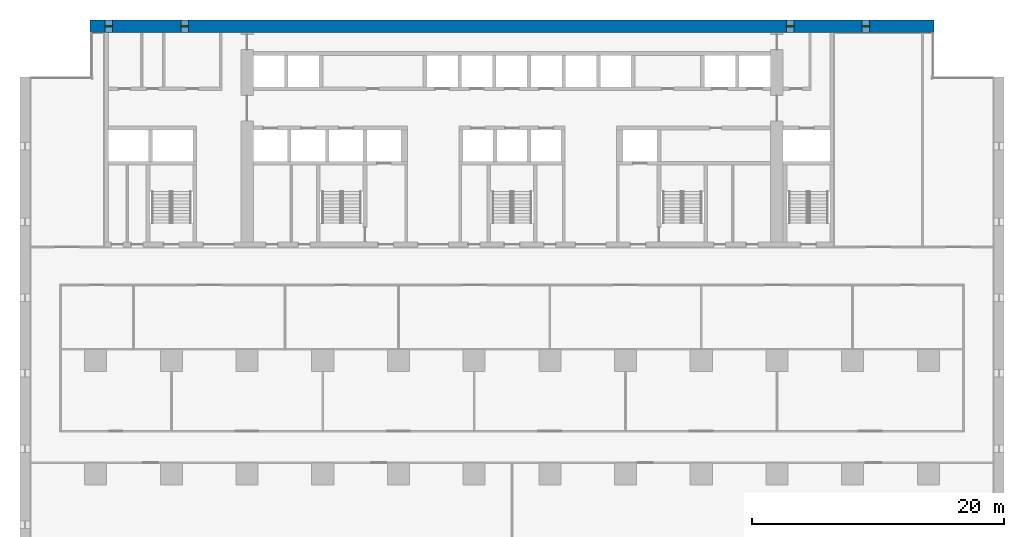
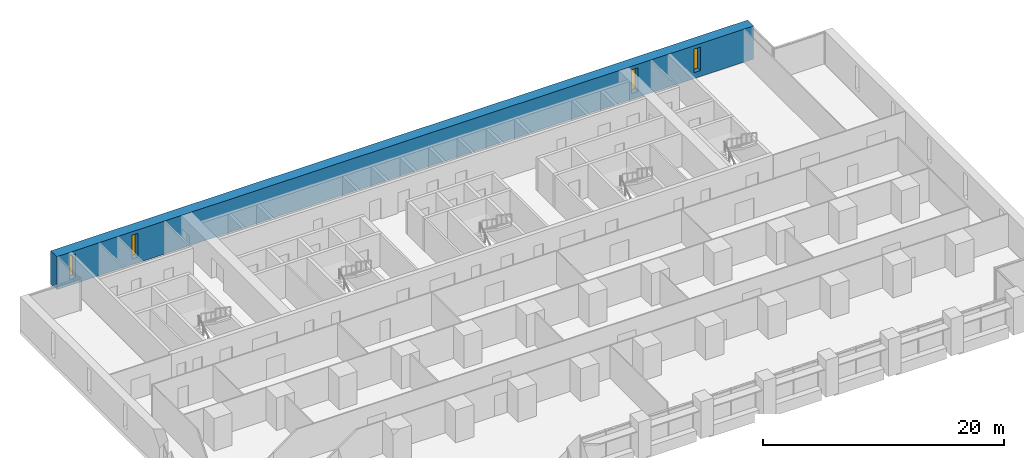
# One storey, part 12 of 18: 4 windows, 1 wall, 4 openings.
"""IFC4 building model written with IfcOpenShell, lengths in metres."""

import ifcopenshell
import ifcopenshell.guid

model = None  # the IFC model being written
_history = None  # IfcOwnerHistory: only IFC2X3 demands one
_inside = {}  # id of a spatial element -> (the spatial element, [elements in it])
_under = {}  # id of a project, library or spatial element -> (it, [spatial elements below it])
_declared = {}  # id of a project -> (the project, [libraries it declares])
_typed = {}  # id of a type object -> (the type object, [elements of that type])
_made_of = {}  # id of a material, layer set ... -> (it, [elements and type objects made of it])


def new_model(schema):
    """Start an empty IFC model of exactly this schema.

    Asked for "IFC4X3", IfcOpenShell would pick the latest addendum, in which some entities
    have other attributes; the version numbers below select the first issue.
    IFC2X3 requires an IfcOwnerHistory on every rooted entity: one is made here for all.
    """
    global model, _history
    if schema == "IFC4X3":
        model = ifcopenshell.file(schema_version=(4, 3, 0, 0))
    else:
        model = ifcopenshell.file(schema=schema)
    _inside.clear()
    _under.clear()
    _declared.clear()
    _typed.clear()
    _made_of.clear()
    _history = None
    if model.schema == "IFC2X3":
        org = make("IfcOrganization", Name="unknown")
        user = make(
            "IfcPersonAndOrganization",
            ThePerson=make("IfcPerson", FamilyName="unknown"),
            TheOrganization=org,
        )
        app = make(
            "IfcApplication",
            ApplicationDeveloper=org,
            Version="unknown",
            ApplicationFullName="unknown",
            ApplicationIdentifier="unknown",
        )
        _history = make(
            "IfcOwnerHistory",
            OwningUser=user,
            OwningApplication=app,
            ChangeAction="ADDED",
            CreationDate=0,
        )
    return model


def make(cls, **values):
    """One entity of the class cls with the attributes given. An attribute that is None is left unset."""
    return model.create_entity(
        cls, **{name: value for name, value in values.items() if value is not None}
    )


def rooted(cls, **values):
    """An entity with a GlobalId (a new one), such as an element, a storey or a relation."""
    return make(cls, GlobalId=ifcopenshell.guid.new(), OwnerHistory=_history, **values)


def si_unit(unit_type, name, prefix=None):
    """IfcSIUnit, for example si_unit("LENGTHUNIT", "METRE", prefix="MILLI")."""
    return make("IfcSIUnit", UnitType=unit_type, Prefix=prefix, Name=name)


def assignment(units):
    """IfcUnitAssignment: the units of a project."""
    return None if units is None else make("IfcUnitAssignment", Units=units)


def point(xyz):
    """IfcCartesianPoint."""
    return None if xyz is None else make("IfcCartesianPoint", Coordinates=xyz)


def direction(xyz):
    """IfcDirection."""
    return None if xyz is None else make("IfcDirection", DirectionRatios=xyz)


def frame(location, z_axis=None, x_axis=None):
    """IfcAxis2Placement3D, a coordinate frame: its origin and axes. An axis left out is left unset."""
    return make(
        "IfcAxis2Placement3D",
        Location=point(location),
        Axis=direction(z_axis),
        RefDirection=direction(x_axis),
    )


def frame_2d(location, x_axis=None):
    """IfcAxis2Placement2D, a coordinate frame in the plane: its origin and x axis."""
    return make(
        "IfcAxis2Placement2D", Location=point(location), RefDirection=direction(x_axis)
    )


def origin():
    """The frame at (0, 0, 0) with its axes left unset."""
    return frame((0.0, 0.0, 0.0))


def place(relative_to, where):
    """IfcLocalPlacement: puts the frame where relative to a parent placement (None: the world)."""
    return make(
        "IfcLocalPlacement", PlacementRelTo=relative_to, RelativePlacement=where
    )


def context(
    kind, dimensions, precision=None, world=None, true_north=None, identifier=None
):
    """IfcGeometricRepresentationContext, for example the 3D "Model" context."""
    return make(
        "IfcGeometricRepresentationContext",
        ContextIdentifier=identifier,
        ContextType=kind,
        CoordinateSpaceDimension=dimensions,
        Precision=precision,
        WorldCoordinateSystem=world,
        TrueNorth=true_north,
    )


def subcontext(parent, identifier, kind, view, scale=None):
    """IfcGeometricRepresentationSubContext, for example "Body" below "Model"."""
    return make(
        "IfcGeometricRepresentationSubContext",
        ContextIdentifier=identifier,
        ContextType=kind,
        ParentContext=parent,
        TargetScale=scale,
        TargetView=view,
    )


def project(units=None, contexts=None):
    """IfcProject with its units and contexts."""
    return rooted(
        "IfcProject",
        Name="project",
        RepresentationContexts=contexts,
        UnitsInContext=assignment(units),
    )


def spatial(cls, under=None, at=None, **own):
    """A site, building, storey or space (cls), placed at a placement, below another one or the project."""
    s = rooted(cls, ObjectPlacement=at, **own)
    if under is not None:
        _under.setdefault(under.id(), (under, []))[1].append(s)
    return s


def profile(cls, at=None, kind="AREA", **sizes):
    """A parametric profile (cls). Its sizes go by their IFC names, for example OverallWidth=200.0."""
    return make(cls, ProfileType=kind, Position=at, **sizes)


def rectangle(**sizes):
    """IfcRectangleProfileDef."""
    return profile("IfcRectangleProfileDef", **sizes)


def extrude(swept, where, along, depth):
    """IfcExtrudedAreaSolid: the profile swept, set in the frame where, extruded along a direction by depth."""
    return make(
        "IfcExtrudedAreaSolid",
        SweptArea=swept,
        Position=where,
        ExtrudedDirection=direction(along),
        Depth=depth,
    )


def shape(context_of_items, identifier, shape_type, items):
    """IfcShapeRepresentation: the items that make up one representation, for example the "Body"."""
    return make(
        "IfcShapeRepresentation",
        ContextOfItems=context_of_items,
        RepresentationIdentifier=identifier,
        RepresentationType=shape_type,
        Items=items,
    )


def material(Name=None, Category=None):
    """IfcMaterial."""
    return make("IfcMaterial", Name=Name, Category=Category)


def layer(
    of_material, thickness, ventilated=None, Name=None, Category=None, Priority=None
):
    """IfcMaterialLayer: one layer of a wall or slab, of a material (None: an air gap)."""
    return make(
        "IfcMaterialLayer",
        Material=of_material,
        LayerThickness=thickness,
        IsVentilated=ventilated,
        Name=Name,
        Category=Category,
        Priority=Priority,
    )


def layer_set(layers, Name=None):
    """IfcMaterialLayerSet."""
    return make("IfcMaterialLayerSet", MaterialLayers=layers, LayerSetName=Name)


def made_of(thing, what):
    """Note that an element or type object is made of a material, layer set ...; save() writes the relation."""
    if what is not None:
        _made_of.setdefault(what.id(), (what, []))[1].append(thing)
    return thing


def type_object(cls, material=None, **own):
    """A type object (cls), such as IfcWallType, which elements share."""
    return made_of(rooted(cls, **own), material)


def element(
    cls,
    number,
    at=None,
    inside=None,
    cuts=None,
    type_object=None,
    material=None,
    context=None,
    identifier="Body",
    shape_type=None,
    held_by="IfcProductDefinitionShape",
    body=None,
    shapes=None,
    **own,
):
    """One element of the class cls, such as IfcWall. Its Tag is "e" and its number.

    at: its placement. inside: the storey or other place that contains it. cuts: it is an
    opening in that element (IfcRelVoidsElement). A single representation is given by context,
    identifier, shape_type and body (its items); several are given by shapes. held_by: the class
    of the entity that holds the representations. save() writes the other relations.
    """
    e = rooted(cls, Tag="e%d" % number, ObjectPlacement=at, **own)
    if body is not None:
        shapes = [shape(context, identifier, shape_type, body)]
    if shapes is not None:
        e.Representation = make(held_by, Representations=shapes)
    if inside is not None:
        _inside.setdefault(inside.id(), (inside, []))[1].append(e)
    if cuts is not None:
        rooted(
            "IfcRelVoidsElement", RelatingBuildingElement=cuts, RelatedOpeningElement=e
        )
    if type_object is not None:
        _typed.setdefault(type_object.id(), (type_object, []))[1].append(e)
    return made_of(e, material)


def fill(opening, filler):
    """IfcRelFillsElement: the door or window that sits in an opening."""
    return rooted(
        "IfcRelFillsElement",
        RelatingOpeningElement=opening,
        RelatedBuildingElement=filler,
    )


def aggregate(whole, parts):
    """IfcRelAggregates: a whole, such as a stair, and the parts it consists of."""
    return rooted("IfcRelAggregates", RelatingObject=whole, RelatedObjects=parts)


def save(model, path):
    """Write the relations noted so far, then the file.

    IfcRelAggregates (storeys below a building ...), IfcRelContainedInSpatialStructure (elements
    in a storey), IfcRelDefinesByType, IfcRelAssociatesMaterial and IfcRelDeclares: one each for
    every whole, place, type object, material and project.
    """
    for whole, parts in _under.values():
        aggregate(whole, parts)
    for where, things in _inside.values():
        rooted(
            "IfcRelContainedInSpatialStructure",
            RelatedElements=things,
            RelatingStructure=where,
        )
    for kind, things in _typed.values():
        rooted("IfcRelDefinesByType", RelatedObjects=things, RelatingType=kind)
    for what, things in _made_of.values():
        rooted("IfcRelAssociatesMaterial", RelatedObjects=things, RelatingMaterial=what)
    for by, libraries in _declared.values():
        rooted("IfcRelDeclares", RelatingContext=by, RelatedDefinitions=libraries)
    model.write(path)


model = new_model("IFC4")

# Units and contexts
model_context = context("Model", 3, precision=1e-05, world=origin(), true_north=direction((0.0, 1.0)))
body_context = subcontext(model_context, "Body", "Model", "MODEL_VIEW")
ifc_project = project(units=[si_unit("LENGTHUNIT", "METRE"), si_unit("AREAUNIT", "SQUARE_METRE"), si_unit("VOLUMEUNIT", "CUBIC_METRE"), si_unit("PLANEANGLEUNIT", "RADIAN"), si_unit("MASSUNIT", "GRAM", prefix="KILO")], contexts=[model_context])

# Site, building, storey
site_placement = place(None, origin())
site = spatial("IfcSite", under=ifc_project, at=site_placement, CompositionType="ELEMENT")
building_placement = place(site_placement, origin())
building = spatial("IfcBuilding", under=site, at=building_placement, Name="Calvaro Tower", CompositionType="ELEMENT")
storey_placement = place(building_placement, frame((0.0, 0.0, 41.25)))
storey = spatial("IfcBuildingStorey", under=building, at=storey_placement, Name="L09", CompositionType="ELEMENT", Elevation=41.25)

# Wall, openings, windows
ifc_material_1 = material(Name="Concrete C80/95", Category="concrete")
ifc_layer = layer(ifc_material_1, 1.0)
ifc_layer_set = layer_set([ifc_layer], Name="Concrete C80/95")
wall_type = type_object("IfcWallType", Name="Rear core wall 1000 C80/95", PredefinedType="SHEAR", material=ifc_layer_set)
wall_placement = place(storey_placement, frame((5.550048828125, 45.5, 0.0), z_axis=(0.0, 0.0, 1.0), x_axis=(1.0, 0.0, 0.0)))
wall = element("IfcWall", 1, at=wall_placement, inside=storey, type_object=wall_type, Name="North core wall", PredefinedType="SHEAR", context=body_context, shape_type="SweptSolid", body=[
    extrude(rectangle(XDim=66.89990234375, YDim=1.0, at=frame_2d((33.449951171875, 0.0))), origin(), (0.0, 0.0, 1.0), 3.35009765625),
])
opening_1_placement = place(wall_placement, frame((1.199951171875, 0.0, 0.60009765625)))
opening_1 = element("IfcOpeningElement", 2, at=opening_1_placement, cuts=wall, Name="Opening WN01", PredefinedType="OPENING", context=body_context, shape_type="SweptSolid", body=[
    extrude(rectangle(XDim=0.60009765625, YDim=2.39990234375, at=frame_2d((0.300048828125, 1.199951171875))), frame((0.0, 0.510009765625, 0.0), z_axis=(0.0, -1.0, 0.0), x_axis=(1.0, 0.0, 0.0)), (0.0, 0.0, 1.0), 1.02001953125),
])
opening_2_placement = place(wall_placement, frame((7.199951171875, 0.0, 0.60009765625)))
opening_2 = element("IfcOpeningElement", 3, at=opening_2_placement, cuts=wall, Name="Opening WN02", PredefinedType="OPENING", context=body_context, shape_type="SweptSolid", body=[
    extrude(rectangle(XDim=0.60009765625, YDim=2.39990234375, at=frame_2d((0.300048828125, 1.199951171875))), frame((0.0, 0.510009765625, 0.0), z_axis=(0.0, -1.0, 0.0), x_axis=(1.0, 0.0, 0.0)), (0.0, 0.0, 1.0), 1.02001953125),
])
opening_3_placement = place(wall_placement, frame((55.199951171875, 0.0, 0.60009765625)))
opening_3 = element("IfcOpeningElement", 4, at=opening_3_placement, cuts=wall, Name="Opening WN10", PredefinedType="OPENING", context=body_context, shape_type="SweptSolid", body=[
    extrude(rectangle(XDim=0.60009765625, YDim=2.39990234375, at=frame_2d((0.300048828125, 1.199951171875))), frame((0.0, 0.510009765625, 0.0), z_axis=(0.0, -1.0, 0.0), x_axis=(1.0, 0.0, 0.0)), (0.0, 0.0, 1.0), 1.02001953125),
])
opening_4_placement = place(wall_placement, frame((61.199951171875, 0.0, 0.60009765625)))
opening_4 = element("IfcOpeningElement", 5, at=opening_4_placement, cuts=wall, Name="Opening WN11", PredefinedType="OPENING", context=body_context, shape_type="SweptSolid", body=[
    extrude(rectangle(XDim=0.60009765625, YDim=2.39990234375, at=frame_2d((0.300048828125, 1.199951171875))), frame((0.0, 0.510009765625, 0.0), z_axis=(0.0, -1.0, 0.0), x_axis=(1.0, 0.0, 0.0)), (0.0, 0.0, 1.0), 1.02001953125),
])
ifc_material_2 = material(Name="Glass", Category="glass")
window_type = type_object("IfcWindowType", Name="Slit window 600 x 2400", PartitioningType="SINGLE_PANEL", PredefinedType="WINDOW", material=ifc_material_2)
window_1_placement = place(opening_1_placement, origin())
window_1 = element("IfcWindow", 6, at=window_1_placement, inside=storey, type_object=window_type, Name="Window WN01", OverallHeight=2.39990234375, OverallWidth=0.60009765625, PartitioningType="SINGLE_PANEL", PredefinedType="WINDOW", context=body_context, shape_type="SweptSolid", body=[
    extrude(rectangle(XDim=0.60009765625, YDim=2.39990234375, at=frame_2d((0.300048828125, 1.199951171875))), frame((0.0, 0.030029296875, 0.0), z_axis=(0.0, -1.0, 0.0), x_axis=(1.0, 0.0, 0.0)), (0.0, 0.0, 1.0), 0.06005859375),
])
fill(opening_1, window_1)
window_2_placement = place(opening_2_placement, origin())
window_2 = element("IfcWindow", 7, at=window_2_placement, inside=storey, type_object=window_type, Name="Window WN02", OverallHeight=2.39990234375, OverallWidth=0.60009765625, PartitioningType="SINGLE_PANEL", PredefinedType="WINDOW", context=body_context, shape_type="SweptSolid", body=[
    extrude(rectangle(XDim=0.60009765625, YDim=2.39990234375, at=frame_2d((0.300048828125, 1.199951171875))), frame((0.0, 0.030029296875, 0.0), z_axis=(0.0, -1.0, 0.0), x_axis=(1.0, 0.0, 0.0)), (0.0, 0.0, 1.0), 0.06005859375),
])
fill(opening_2, window_2)
window_3_placement = place(opening_3_placement, origin())
window_3 = element("IfcWindow", 8, at=window_3_placement, inside=storey, type_object=window_type, Name="Window WN10", OverallHeight=2.39990234375, OverallWidth=0.60009765625, PartitioningType="SINGLE_PANEL", PredefinedType="WINDOW", context=body_context, shape_type="SweptSolid", body=[
    extrude(rectangle(XDim=0.60009765625, YDim=2.39990234375, at=frame_2d((0.300048828125, 1.199951171875))), frame((0.0, 0.030029296875, 0.0), z_axis=(0.0, -1.0, 0.0), x_axis=(1.0, 0.0, 0.0)), (0.0, 0.0, 1.0), 0.06005859375),
])
fill(opening_3, window_3)
window_4_placement = place(opening_4_placement, origin())
window_4 = element("IfcWindow", 9, at=window_4_placement, inside=storey, type_object=window_type, Name="Window WN11", OverallHeight=2.39990234375, OverallWidth=0.60009765625, PartitioningType="SINGLE_PANEL", PredefinedType="WINDOW", context=body_context, shape_type="SweptSolid", body=[
    extrude(rectangle(XDim=0.60009765625, YDim=2.39990234375, at=frame_2d((0.300048828125, 1.199951171875))), frame((0.0, 0.030029296875, 0.0), z_axis=(0.0, -1.0, 0.0), x_axis=(1.0, 0.0, 0.0)), (0.0, 0.0, 1.0), 0.06005859375),
])
fill(opening_4, window_4)

save(model, "model.ifc")
